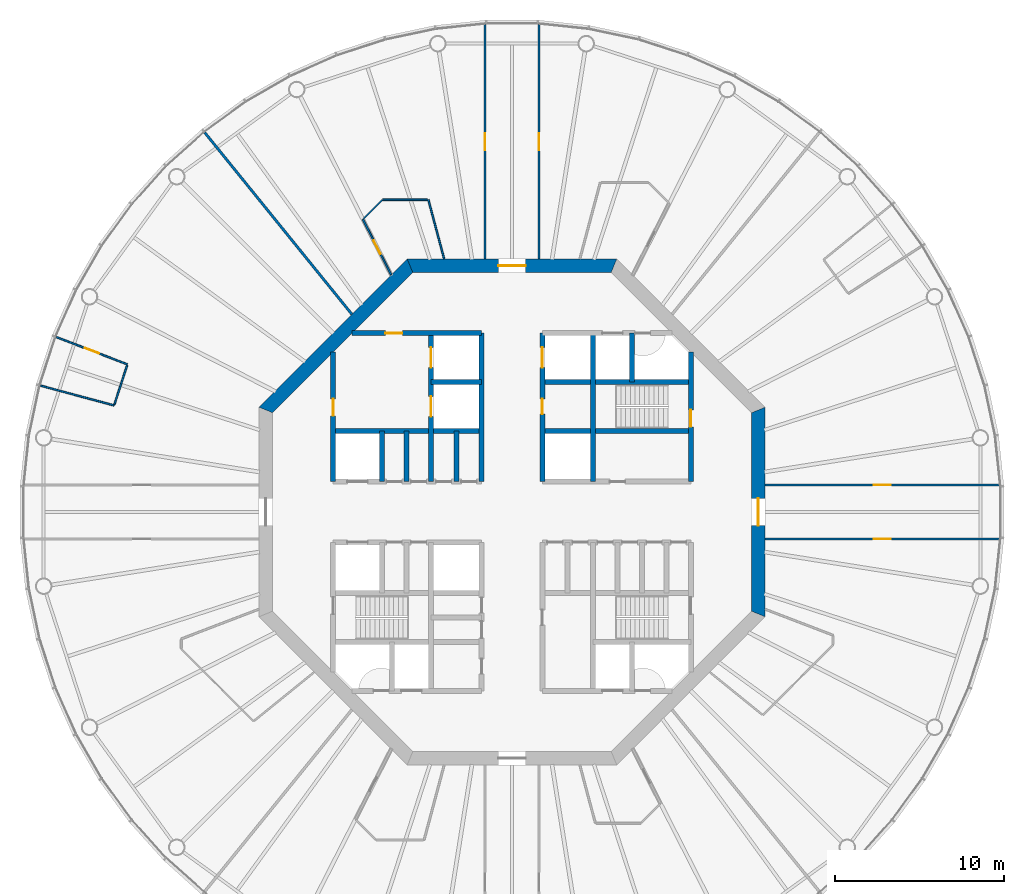
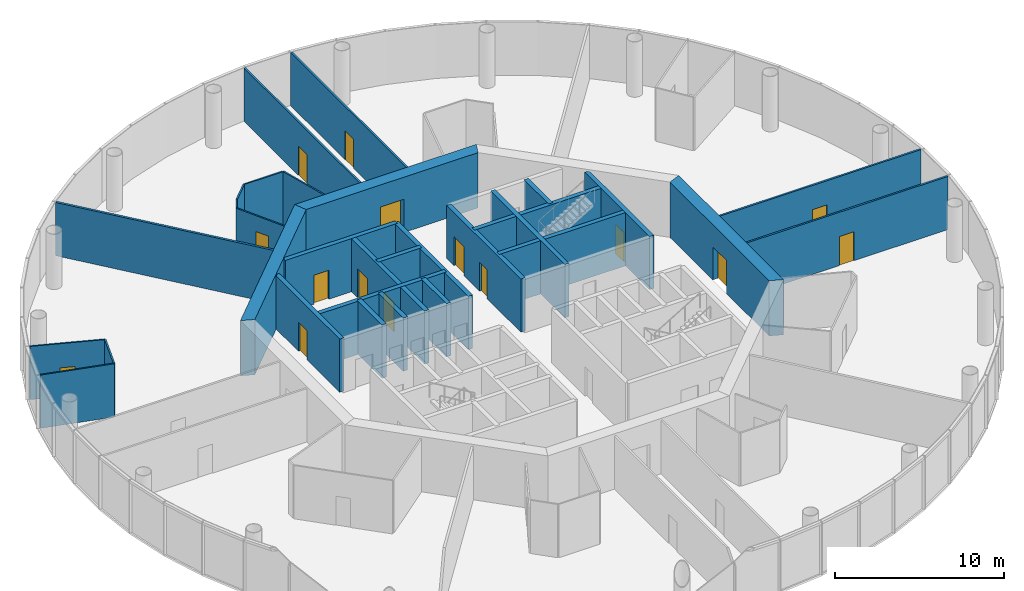
# One storey, part 5 of 13: 30 walls, 15 doors, 15 openings.
"""IFC4 building model written with IfcOpenShell, lengths in metres."""

import ifcopenshell
import ifcopenshell.guid

model = None  # the IFC model being written
_history = None  # IfcOwnerHistory: only IFC2X3 demands one
_inside = {}  # id of a spatial element -> (the spatial element, [elements in it])
_under = {}  # id of a project, library or spatial element -> (it, [spatial elements below it])
_declared = {}  # id of a project -> (the project, [libraries it declares])
_typed = {}  # id of a type object -> (the type object, [elements of that type])
_made_of = {}  # id of a material, layer set ... -> (it, [elements and type objects made of it])


def new_model(schema):
    """Start an empty IFC model of exactly this schema.

    Asked for "IFC4X3", IfcOpenShell would pick the latest addendum, in which some entities
    have other attributes; the version numbers below select the first issue.
    IFC2X3 requires an IfcOwnerHistory on every rooted entity: one is made here for all.
    """
    global model, _history
    if schema == "IFC4X3":
        model = ifcopenshell.file(schema_version=(4, 3, 0, 0))
    else:
        model = ifcopenshell.file(schema=schema)
    _inside.clear()
    _under.clear()
    _declared.clear()
    _typed.clear()
    _made_of.clear()
    _history = None
    if model.schema == "IFC2X3":
        org = make("IfcOrganization", Name="unknown")
        user = make(
            "IfcPersonAndOrganization",
            ThePerson=make("IfcPerson", FamilyName="unknown"),
            TheOrganization=org,
        )
        app = make(
            "IfcApplication",
            ApplicationDeveloper=org,
            Version="unknown",
            ApplicationFullName="unknown",
            ApplicationIdentifier="unknown",
        )
        _history = make(
            "IfcOwnerHistory",
            OwningUser=user,
            OwningApplication=app,
            ChangeAction="ADDED",
            CreationDate=0,
        )
    return model


def make(cls, **values):
    """One entity of the class cls with the attributes given. An attribute that is None is left unset."""
    return model.create_entity(
        cls, **{name: value for name, value in values.items() if value is not None}
    )


def rooted(cls, **values):
    """An entity with a GlobalId (a new one), such as an element, a storey or a relation."""
    return make(cls, GlobalId=ifcopenshell.guid.new(), OwnerHistory=_history, **values)


def si_unit(unit_type, name, prefix=None):
    """IfcSIUnit, for example si_unit("LENGTHUNIT", "METRE", prefix="MILLI")."""
    return make("IfcSIUnit", UnitType=unit_type, Prefix=prefix, Name=name)


def assignment(units):
    """IfcUnitAssignment: the units of a project."""
    return None if units is None else make("IfcUnitAssignment", Units=units)


def point(xyz):
    """IfcCartesianPoint."""
    return None if xyz is None else make("IfcCartesianPoint", Coordinates=xyz)


def direction(xyz):
    """IfcDirection."""
    return None if xyz is None else make("IfcDirection", DirectionRatios=xyz)


def frame(location, z_axis=None, x_axis=None):
    """IfcAxis2Placement3D, a coordinate frame: its origin and axes. An axis left out is left unset."""
    return make(
        "IfcAxis2Placement3D",
        Location=point(location),
        Axis=direction(z_axis),
        RefDirection=direction(x_axis),
    )


def frame_2d(location, x_axis=None):
    """IfcAxis2Placement2D, a coordinate frame in the plane: its origin and x axis."""
    return make(
        "IfcAxis2Placement2D", Location=point(location), RefDirection=direction(x_axis)
    )


def origin():
    """The frame at (0, 0, 0) with its axes left unset."""
    return frame((0.0, 0.0, 0.0))


def place(relative_to, where):
    """IfcLocalPlacement: puts the frame where relative to a parent placement (None: the world)."""
    return make(
        "IfcLocalPlacement", PlacementRelTo=relative_to, RelativePlacement=where
    )


def context(
    kind, dimensions, precision=None, world=None, true_north=None, identifier=None
):
    """IfcGeometricRepresentationContext, for example the 3D "Model" context."""
    return make(
        "IfcGeometricRepresentationContext",
        ContextIdentifier=identifier,
        ContextType=kind,
        CoordinateSpaceDimension=dimensions,
        Precision=precision,
        WorldCoordinateSystem=world,
        TrueNorth=true_north,
    )


def subcontext(parent, identifier, kind, view, scale=None):
    """IfcGeometricRepresentationSubContext, for example "Body" below "Model"."""
    return make(
        "IfcGeometricRepresentationSubContext",
        ContextIdentifier=identifier,
        ContextType=kind,
        ParentContext=parent,
        TargetScale=scale,
        TargetView=view,
    )


def project(units=None, contexts=None):
    """IfcProject with its units and contexts."""
    return rooted(
        "IfcProject",
        Name="project",
        RepresentationContexts=contexts,
        UnitsInContext=assignment(units),
    )


def spatial(cls, under=None, at=None, **own):
    """A site, building, storey or space (cls), placed at a placement, below another one or the project."""
    s = rooted(cls, ObjectPlacement=at, **own)
    if under is not None:
        _under.setdefault(under.id(), (under, []))[1].append(s)
    return s


def polyline(points):
    """IfcPolyline through the points."""
    return make("IfcPolyline", Points=[point(p) for p in points])


def profile(cls, at=None, kind="AREA", **sizes):
    """A parametric profile (cls). Its sizes go by their IFC names, for example OverallWidth=200.0."""
    return make(cls, ProfileType=kind, Position=at, **sizes)


def rectangle(**sizes):
    """IfcRectangleProfileDef."""
    return profile("IfcRectangleProfileDef", **sizes)


def outline(outer, holes=None, kind="AREA"):
    """IfcArbitraryClosedProfileDef: a profile drawn as a closed curve; with holes, ...WithVoids."""
    if holes is None:
        return make("IfcArbitraryClosedProfileDef", ProfileType=kind, OuterCurve=outer)
    return make(
        "IfcArbitraryProfileDefWithVoids",
        ProfileType=kind,
        OuterCurve=outer,
        InnerCurves=holes,
    )


def extrude(swept, where, along, depth):
    """IfcExtrudedAreaSolid: the profile swept, set in the frame where, extruded along a direction by depth."""
    return make(
        "IfcExtrudedAreaSolid",
        SweptArea=swept,
        Position=where,
        ExtrudedDirection=direction(along),
        Depth=depth,
    )


def shape(context_of_items, identifier, shape_type, items):
    """IfcShapeRepresentation: the items that make up one representation, for example the "Body"."""
    return make(
        "IfcShapeRepresentation",
        ContextOfItems=context_of_items,
        RepresentationIdentifier=identifier,
        RepresentationType=shape_type,
        Items=items,
    )


def material(Name=None, Category=None):
    """IfcMaterial."""
    return make("IfcMaterial", Name=Name, Category=Category)


def layer(
    of_material, thickness, ventilated=None, Name=None, Category=None, Priority=None
):
    """IfcMaterialLayer: one layer of a wall or slab, of a material (None: an air gap)."""
    return make(
        "IfcMaterialLayer",
        Material=of_material,
        LayerThickness=thickness,
        IsVentilated=ventilated,
        Name=Name,
        Category=Category,
        Priority=Priority,
    )


def layer_set(layers, Name=None):
    """IfcMaterialLayerSet."""
    return make("IfcMaterialLayerSet", MaterialLayers=layers, LayerSetName=Name)


def made_of(thing, what):
    """Note that an element or type object is made of a material, layer set ...; save() writes the relation."""
    if what is not None:
        _made_of.setdefault(what.id(), (what, []))[1].append(thing)
    return thing


def type_object(cls, material=None, **own):
    """A type object (cls), such as IfcWallType, which elements share."""
    return made_of(rooted(cls, **own), material)


def element(
    cls,
    number,
    at=None,
    inside=None,
    cuts=None,
    type_object=None,
    material=None,
    context=None,
    identifier="Body",
    shape_type=None,
    held_by="IfcProductDefinitionShape",
    body=None,
    shapes=None,
    **own,
):
    """One element of the class cls, such as IfcWall. Its Tag is "e" and its number.

    at: its placement. inside: the storey or other place that contains it. cuts: it is an
    opening in that element (IfcRelVoidsElement). A single representation is given by context,
    identifier, shape_type and body (its items); several are given by shapes. held_by: the class
    of the entity that holds the representations. save() writes the other relations.
    """
    e = rooted(cls, Tag="e%d" % number, ObjectPlacement=at, **own)
    if body is not None:
        shapes = [shape(context, identifier, shape_type, body)]
    if shapes is not None:
        e.Representation = make(held_by, Representations=shapes)
    if inside is not None:
        _inside.setdefault(inside.id(), (inside, []))[1].append(e)
    if cuts is not None:
        rooted(
            "IfcRelVoidsElement", RelatingBuildingElement=cuts, RelatedOpeningElement=e
        )
    if type_object is not None:
        _typed.setdefault(type_object.id(), (type_object, []))[1].append(e)
    return made_of(e, material)


def fill(opening, filler):
    """IfcRelFillsElement: the door or window that sits in an opening."""
    return rooted(
        "IfcRelFillsElement",
        RelatingOpeningElement=opening,
        RelatedBuildingElement=filler,
    )


def aggregate(whole, parts):
    """IfcRelAggregates: a whole, such as a stair, and the parts it consists of."""
    return rooted("IfcRelAggregates", RelatingObject=whole, RelatedObjects=parts)


def save(model, path):
    """Write the relations noted so far, then the file.

    IfcRelAggregates (storeys below a building ...), IfcRelContainedInSpatialStructure (elements
    in a storey), IfcRelDefinesByType, IfcRelAssociatesMaterial and IfcRelDeclares: one each for
    every whole, place, type object, material and project.
    """
    for whole, parts in _under.values():
        aggregate(whole, parts)
    for where, things in _inside.values():
        rooted(
            "IfcRelContainedInSpatialStructure",
            RelatedElements=things,
            RelatingStructure=where,
        )
    for kind, things in _typed.values():
        rooted("IfcRelDefinesByType", RelatedObjects=things, RelatingType=kind)
    for what, things in _made_of.values():
        rooted("IfcRelAssociatesMaterial", RelatedObjects=things, RelatingMaterial=what)
    for by, libraries in _declared.values():
        rooted("IfcRelDeclares", RelatingContext=by, RelatedDefinitions=libraries)
    model.write(path)


model = new_model("IFC4")

# Units and contexts
model_context = context("Model", 3, precision=1e-05, world=origin(), true_north=direction((0.0, 1.0)))
body_context = subcontext(model_context, "Body", "Model", "MODEL_VIEW")
ifc_project = project(units=[si_unit("LENGTHUNIT", "METRE"), si_unit("AREAUNIT", "SQUARE_METRE"), si_unit("VOLUMEUNIT", "CUBIC_METRE"), si_unit("PLANEANGLEUNIT", "RADIAN"), si_unit("MASSUNIT", "GRAM", prefix="KILO")], contexts=[model_context])

# Site, building, storey
site_placement = place(None, origin())
site = spatial("IfcSite", under=ifc_project, at=site_placement, CompositionType="ELEMENT")
building_placement = place(site_placement, origin())
building = spatial("IfcBuilding", under=site, at=building_placement, Name="Entoto Ring Tower", CompositionType="ELEMENT")
storey_placement = place(building_placement, frame((0.0, 0.0, 286.0)))
storey = spatial("IfcBuildingStorey", under=building, at=storey_placement, Name="L65", CompositionType="ELEMENT", Elevation=286.0)

# Wall, opening, door
ifc_material_1 = material(Name="Concrete C40/50", Category="concrete")
ifc_layer_1 = layer(ifc_material_1, 0.300048828125)
ifc_layer_set_1 = layer_set([ifc_layer_1], Name="Concrete C40/50")
wall_type_1 = type_object("IfcWallType", Name="Core enclosure wall 300 mm reinforced concrete", PredefinedType="SOLIDWALL", material=ifc_layer_set_1)
wall_1_placement = place(storey_placement, frame((100.60009765625, 81.800048828125, 0.0), z_axis=(0.0, 0.0, 1.0), x_axis=(0.0, 1.0, 0.0)))
wall_1 = element("IfcWall", 1, at=wall_1_placement, inside=storey, type_object=wall_type_1, Name="wall-L65-002", PredefinedType="SOLIDWALL", context=body_context, shape_type="SweptSolid", body=[
    extrude(rectangle(XDim=7.681640625, YDim=0.300048828125, at=frame_2d((3.8408203125, 0.0))), origin(), (0.0, 0.0, 1.0), 3.85009765625),
])
opening_1_placement = place(wall_1_placement, frame((3.25, 0.0, 0.0)))
opening_1 = element("IfcOpeningElement", 2, at=opening_1_placement, cuts=wall_1, Name="Opening K-29", PredefinedType="OPENING", context=body_context, shape_type="SweptSolid", body=[
    extrude(rectangle(XDim=1.0, YDim=2.10009765625, at=frame_2d((0.5, 1.050048828125))), frame((0.0, 0.16015625, 0.0), z_axis=(0.0, -1.0, 0.0), x_axis=(1.0, 0.0, 0.0)), (0.0, 0.0, 1.0), 0.320068359375),
])
ifc_material_2 = material(Name="Steel door leaf, fire rated", Category="steel")
ifc_layer_2 = layer(ifc_material_2, 0.050048828125)
ifc_layer_set_2 = layer_set([ifc_layer_2], Name="Steel door leaf, fire rated")
door_type_1 = type_object("IfcDoorType", Name="Fire door FD60 1000 x 2100 single leaf", OperationType="NOTDEFINED", PredefinedType="DOOR", material=ifc_layer_set_2)
door_1_placement = place(opening_1_placement, origin())
door_1 = element("IfcDoor", 3, at=door_1_placement, inside=storey, type_object=door_type_1, Name="Door K-29", OperationType="SINGLE_SWING_LEFT", OverallHeight=2.10009765625, OverallWidth=1.0, PredefinedType="DOOR", context=body_context, shape_type="SweptSolid", body=[
    extrude(rectangle(XDim=1.0, YDim=2.10009765625, at=frame_2d((0.5, 1.050048828125))), frame((0.0, 0.02490234375, 0.0), z_axis=(0.0, -1.0, 0.0), x_axis=(1.0, 0.0, 0.0)), (0.0, 0.0, 1.0), 0.050048828125),
])
fill(opening_1, door_1)

# Walls
wall_2_placement = place(storey_placement, frame((97.10009765625, 87.699951171875, 0.0), z_axis=(0.0, 0.0, 1.0), x_axis=(0.0, 1.0, 0.0)))
element("IfcWall", 4, at=wall_2_placement, inside=storey, type_object=wall_type_1, Name="wall-L65-006", PredefinedType="SOLIDWALL", context=body_context, shape_type="SweptSolid", body=[
    extrude(rectangle(XDim=2.900146484375, YDim=0.300048828125, at=frame_2d((1.4501953125, 0.0))), origin(), (0.0, 0.0, 1.0), 3.85009765625),
])
wall_3_placement = place(storey_placement, frame((94.800048828125, 81.800048828125, 0.0), z_axis=(0.0, 0.0, 1.0), x_axis=(0.0, 1.0, 0.0)))
element("IfcWall", 5, at=wall_3_placement, inside=storey, type_object=wall_type_1, Name="wall-L65-009", PredefinedType="SOLIDWALL", context=body_context, shape_type="SweptSolid", body=[
    extrude(rectangle(XDim=8.800048828125, YDim=0.300048828125, at=frame_2d((4.39990234375, 0.0))), origin(), (0.0, 0.0, 1.0), 3.85009765625),
])

# Wall, openings, doors
wall_4_placement = place(storey_placement, frame((91.800048828125, 81.800048828125, 0.0), z_axis=(0.0, 0.0, 1.0), x_axis=(0.0, 1.0, 0.0)))
wall_4 = element("IfcWall", 6, at=wall_4_placement, inside=storey, type_object=wall_type_1, Name="wall-L65-012", PredefinedType="SOLIDWALL", context=body_context, shape_type="SweptSolid", body=[
    extrude(rectangle(XDim=8.800048828125, YDim=0.300048828125, at=frame_2d((4.39990234375, 0.0))), origin(), (0.0, 0.0, 1.0), 3.85009765625),
])
opening_2_placement = place(wall_4_placement, frame((6.75, 0.0, 0.0)))
opening_2 = element("IfcOpeningElement", 7, at=opening_2_placement, cuts=wall_4, Name="Opening LD", PredefinedType="OPENING", context=body_context, shape_type="SweptSolid", body=[
    extrude(rectangle(XDim=1.199951171875, YDim=2.10009765625, at=frame_2d((0.60009765625, 1.050048828125))), frame((0.0, 0.16015625, 0.0), z_axis=(0.0, -1.0, 0.0), x_axis=(1.0, 0.0, 0.0)), (0.0, 0.0, 1.0), 0.320068359375),
])
opening_3_placement = place(wall_4_placement, frame((4.0, 0.0, 0.0)))
opening_3 = element("IfcOpeningElement", 8, at=opening_3_placement, cuts=wall_4, Name="Opening K-63", PredefinedType="OPENING", context=body_context, shape_type="SweptSolid", body=[
    extrude(rectangle(XDim=0.89990234375, YDim=2.10009765625, at=frame_2d((0.449951171875, 1.050048828125))), frame((0.0, 0.16015625, 0.0), z_axis=(0.0, -1.0, 0.0), x_axis=(1.0, 0.0, 0.0)), (0.0, 0.0, 1.0), 0.320068359375),
])
ifc_material_3 = material(Name="Steel door leaf, fire rated", Category="steel")
ifc_layer_3 = layer(ifc_material_3, 0.050048828125)
ifc_layer_set_3 = layer_set([ifc_layer_3], Name="Steel door leaf, fire rated")
door_type_2 = type_object("IfcDoorType", Name="Core door 900 x 2100 single leaf", OperationType="NOTDEFINED", PredefinedType="DOOR", material=ifc_layer_set_3)
door_2_placement = place(opening_3_placement, frame((0.89990234375, 0.0, 0.0), z_axis=(0.0, 0.0, 1.0), x_axis=(-1.0, 0.0, 0.0)))
door_2 = element("IfcDoor", 9, at=door_2_placement, inside=storey, type_object=door_type_2, Name="Door K-63", OperationType="SINGLE_SWING_RIGHT", OverallHeight=2.10009765625, OverallWidth=0.89990234375, PredefinedType="DOOR", context=body_context, shape_type="SweptSolid", body=[
    extrude(rectangle(XDim=0.89990234375, YDim=2.10009765625, at=frame_2d((0.449951171875, 1.050048828125))), frame((0.0, 0.02490234375, 0.0), z_axis=(0.0, -1.0, 0.0), x_axis=(1.0, 0.0, 0.0)), (0.0, 0.0, 1.0), 0.050048828125),
])
fill(opening_3, door_2)
ifc_material_4 = material(Name="Steel and glass door leaf", Category="steel")
ifc_layer_4 = layer(ifc_material_4, 0.050048828125)
ifc_layer_set_4 = layer_set([ifc_layer_4], Name="Steel and glass door leaf")
door_type_3 = type_object("IfcDoorType", Name="Landing door 1200 x 2100 sliding", OperationType="DOUBLE_DOOR_SLIDING", PredefinedType="DOOR", material=ifc_layer_set_4)
door_3_placement = place(opening_2_placement, origin())
door_3 = element("IfcDoor", 10, at=door_3_placement, inside=storey, type_object=door_type_3, Name="Landing door SH3", OperationType="SLIDING_TO_RIGHT", OverallHeight=2.10009765625, OverallWidth=1.199951171875, PredefinedType="DOOR", context=body_context, shape_type="SweptSolid", body=[
    extrude(rectangle(XDim=1.199951171875, YDim=2.10009765625, at=frame_2d((0.60009765625, 1.050048828125))), frame((0.0, 0.02490234375, 0.0), z_axis=(0.0, -1.0, 0.0), x_axis=(1.0, 0.0, 0.0)), (0.0, 0.0, 1.0), 0.050048828125),
])
fill(opening_2, door_3)

# Walls
wall_5_placement = place(storey_placement, frame((88.199951171875, 81.800048828125, 0.0), z_axis=(0.0, 0.0, 1.0), x_axis=(0.0, 1.0, 0.0)))
element("IfcWall", 11, at=wall_5_placement, inside=storey, type_object=wall_type_1, Name="wall-L65-014", PredefinedType="SOLIDWALL", context=body_context, shape_type="SweptSolid", body=[
    extrude(rectangle(XDim=8.800048828125, YDim=0.300048828125, at=frame_2d((4.39990234375, 0.0))), origin(), (0.0, 0.0, 1.0), 3.85009765625),
])
wall_6_placement = place(storey_placement, frame((86.699951171875, 81.800048828125, 0.0), z_axis=(0.0, 0.0, 1.0), x_axis=(0.0, 1.0, 0.0)))
element("IfcWall", 12, at=wall_6_placement, inside=storey, type_object=wall_type_1, Name="wall-L65-015", PredefinedType="SOLIDWALL", context=body_context, shape_type="SweptSolid", body=[
    extrude(rectangle(XDim=3.0, YDim=0.300048828125, at=frame_2d((1.5, 0.0))), origin(), (0.0, 0.0, 1.0), 3.85009765625),
])

# Wall, openings, doors
wall_7_placement = place(storey_placement, frame((85.199951171875, 81.800048828125, 0.0), z_axis=(0.0, 0.0, 1.0), x_axis=(0.0, 1.0, 0.0)))
wall_7 = element("IfcWall", 13, at=wall_7_placement, inside=storey, type_object=wall_type_1, Name="wall-L65-017", PredefinedType="SOLIDWALL", context=body_context, shape_type="SweptSolid", body=[
    extrude(rectangle(XDim=8.800048828125, YDim=0.300048828125, at=frame_2d((4.39990234375, 0.0))), origin(), (0.0, 0.0, 1.0), 3.85009765625),
])
opening_4_placement = place(wall_7_placement, frame((3.85009765625, 0.0, 0.0)))
opening_4 = element("IfcOpeningElement", 14, at=opening_4_placement, cuts=wall_7, Name="Opening LD", PredefinedType="OPENING", context=body_context, shape_type="SweptSolid", body=[
    extrude(rectangle(XDim=1.199951171875, YDim=2.10009765625, at=frame_2d((0.60009765625, 1.050048828125))), frame((0.0, 0.16015625, 0.0), z_axis=(0.0, -1.0, 0.0), x_axis=(1.0, 0.0, 0.0)), (0.0, 0.0, 1.0), 0.320068359375),
])
opening_5_placement = place(wall_7_placement, frame((6.75, 0.0, 0.0)))
opening_5 = element("IfcOpeningElement", 15, at=opening_5_placement, cuts=wall_7, Name="Opening LD", PredefinedType="OPENING", context=body_context, shape_type="SweptSolid", body=[
    extrude(rectangle(XDim=1.199951171875, YDim=2.10009765625, at=frame_2d((0.60009765625, 1.050048828125))), frame((0.0, 0.16015625, 0.0), z_axis=(0.0, -1.0, 0.0), x_axis=(1.0, 0.0, 0.0)), (0.0, 0.0, 1.0), 0.320068359375),
])
door_4_placement = place(opening_4_placement, origin())
door_4 = element("IfcDoor", 16, at=door_4_placement, inside=storey, type_object=door_type_3, Name="Landing door FF1", OperationType="SLIDING_TO_RIGHT", OverallHeight=2.10009765625, OverallWidth=1.199951171875, PredefinedType="DOOR", context=body_context, shape_type="SweptSolid", body=[
    extrude(rectangle(XDim=1.199951171875, YDim=2.10009765625, at=frame_2d((0.60009765625, 1.050048828125))), frame((0.0, 0.02490234375, 0.0), z_axis=(0.0, -1.0, 0.0), x_axis=(1.0, 0.0, 0.0)), (0.0, 0.0, 1.0), 0.050048828125),
])
fill(opening_4, door_4)
door_5_placement = place(opening_5_placement, origin())
door_5 = element("IfcDoor", 17, at=door_5_placement, inside=storey, type_object=door_type_3, Name="Landing door FF2", OperationType="SLIDING_TO_RIGHT", OverallHeight=2.10009765625, OverallWidth=1.199951171875, PredefinedType="DOOR", context=body_context, shape_type="SweptSolid", body=[
    extrude(rectangle(XDim=1.199951171875, YDim=2.10009765625, at=frame_2d((0.60009765625, 1.050048828125))), frame((0.0, 0.02490234375, 0.0), z_axis=(0.0, -1.0, 0.0), x_axis=(1.0, 0.0, 0.0)), (0.0, 0.0, 1.0), 0.050048828125),
])
fill(opening_5, door_5)

# Walls
for number, where, z_axis, x_axis, name in (
    (18, (83.75, 81.800048828125, 0.0), (0.0, 0.0, 1.0), (0.0, 1.0, 0.0), "wall-L65-019"),
    (19, (82.300048828125, 81.800048828125, 0.0), (0.0, 0.0, 1.0), (0.0, 1.0, 0.0), "wall-L65-022"),
):
    element("IfcWall", number, at=place(storey_placement, frame(where, z_axis=z_axis, x_axis=x_axis)), inside=storey, type_object=wall_type_1, Name=name, PredefinedType="SOLIDWALL", context=body_context, shape_type="SweptSolid", body=[
        extrude(rectangle(XDim=3.0, YDim=0.300048828125, at=frame_2d((1.5, 0.0))), origin(), (0.0, 0.0, 1.0), 3.85009765625),
    ])

# Wall, opening, door
wall_8_placement = place(storey_placement, frame((79.39990234375, 81.800048828125, 0.0), z_axis=(0.0, 0.0, 1.0), x_axis=(0.0, 1.0, 0.0)))
wall_8 = element("IfcWall", 20, at=wall_8_placement, inside=storey, type_object=wall_type_1, Name="wall-L65-024", PredefinedType="SOLIDWALL", context=body_context, shape_type="SweptSolid", body=[
    extrude(rectangle(XDim=7.681640625, YDim=0.300048828125, at=frame_2d((3.8408203125, 0.0))), origin(), (0.0, 0.0, 1.0), 3.85009765625),
])
opening_6_placement = place(wall_8_placement, frame((3.89990234375, 0.0, 0.0)))
opening_6 = element("IfcOpeningElement", 21, at=opening_6_placement, cuts=wall_8, Name="Opening K-35", PredefinedType="OPENING", context=body_context, shape_type="SweptSolid", body=[
    extrude(rectangle(XDim=1.0, YDim=2.10009765625, at=frame_2d((0.5, 1.050048828125))), frame((0.0, 0.16015625, 0.0), z_axis=(0.0, -1.0, 0.0), x_axis=(1.0, 0.0, 0.0)), (0.0, 0.0, 1.0), 0.320068359375),
])
door_6_placement = place(opening_6_placement, frame((1.0, 0.0, 0.0), z_axis=(0.0, 0.0, 1.0), x_axis=(-1.0, 0.0, 0.0)))
door_6 = element("IfcDoor", 22, at=door_6_placement, inside=storey, type_object=door_type_1, Name="Door K-35", OperationType="SINGLE_SWING_RIGHT", OverallHeight=2.10009765625, OverallWidth=1.0, PredefinedType="DOOR", context=body_context, shape_type="SweptSolid", body=[
    extrude(rectangle(XDim=1.0, YDim=2.10009765625, at=frame_2d((0.5, 1.050048828125))), frame((0.0, 0.02490234375, 0.0), z_axis=(0.0, -1.0, 0.0), x_axis=(1.0, 0.0, 0.0)), (0.0, 0.0, 1.0), 0.050048828125),
])
fill(opening_6, door_6)

# Walls
for number, where, z_axis, x_axis, name in (
    (23, (79.39990234375, 84.800048828125, 0.0), (0.0, 0.0, 1.0), (1.0, 0.0, 0.0), "wall-L65-036"),
    (24, (91.800048828125, 84.800048828125, 0.0), (0.0, 0.0, 1.0), (1.0, 0.0, 0.0), "wall-L65-037"),
):
    element("IfcWall", number, at=place(storey_placement, frame(where, z_axis=z_axis, x_axis=x_axis)), inside=storey, type_object=wall_type_1, Name=name, PredefinedType="SOLIDWALL", context=body_context, shape_type="SweptSolid", body=[
        extrude(rectangle(XDim=8.800048828125, YDim=0.300048828125, at=frame_2d((4.39990234375, 0.0))), origin(), (0.0, 0.0, 1.0), 3.85009765625),
    ])
wall_9_placement = place(storey_placement, frame((85.199951171875, 87.699951171875, 0.0), z_axis=(0.0, 0.0, 1.0), x_axis=(1.0, 0.0, 0.0)))
element("IfcWall", 25, at=wall_9_placement, inside=storey, type_object=wall_type_1, Name="wall-L65-038", PredefinedType="SOLIDWALL", context=body_context, shape_type="SweptSolid", body=[
    extrude(rectangle(XDim=3.0, YDim=0.300048828125, at=frame_2d((1.5, 0.0))), origin(), (0.0, 0.0, 1.0), 3.85009765625),
])
wall_10_placement = place(storey_placement, frame((91.800048828125, 87.699951171875, 0.0), z_axis=(0.0, 0.0, 1.0), x_axis=(1.0, 0.0, 0.0)))
element("IfcWall", 26, at=wall_10_placement, inside=storey, type_object=wall_type_1, Name="wall-L65-039", PredefinedType="SOLIDWALL", context=body_context, shape_type="SweptSolid", body=[
    extrude(rectangle(XDim=8.800048828125, YDim=0.300048828125, at=frame_2d((4.39990234375, 0.0))), origin(), (0.0, 0.0, 1.0), 3.85009765625),
])

# Wall, opening, door
wall_11_placement = place(storey_placement, frame((80.518310546875, 90.60009765625, 0.0), z_axis=(0.0, 0.0, 1.0), x_axis=(1.0, 0.0, 0.0)))
wall_11 = element("IfcWall", 27, at=wall_11_placement, inside=storey, type_object=wall_type_1, Name="wall-L65-040", PredefinedType="SOLIDWALL", context=body_context, shape_type="SweptSolid", body=[
    extrude(rectangle(XDim=7.681640625, YDim=0.300048828125, at=frame_2d((3.8408203125, 0.0))), origin(), (0.0, 0.0, 1.0), 3.85009765625),
])
opening_7_placement = place(wall_11_placement, frame((1.981689453125, 0.0, 0.0)))
opening_7 = element("IfcOpeningElement", 28, at=opening_7_placement, cuts=wall_11, Name="Opening K-36", PredefinedType="OPENING", context=body_context, shape_type="SweptSolid", body=[
    extrude(rectangle(XDim=1.0, YDim=2.10009765625, at=frame_2d((0.5, 1.050048828125))), frame((0.0, 0.16015625, 0.0), z_axis=(0.0, -1.0, 0.0), x_axis=(1.0, 0.0, 0.0)), (0.0, 0.0, 1.0), 0.320068359375),
])
door_7_placement = place(opening_7_placement, frame((1.0, 0.0, 0.0), z_axis=(0.0, 0.0, 1.0), x_axis=(-1.0, 0.0, 0.0)))
door_7 = element("IfcDoor", 29, at=door_7_placement, inside=storey, type_object=door_type_1, Name="Door K-36", OperationType="SINGLE_SWING_LEFT", OverallHeight=2.10009765625, OverallWidth=1.0, PredefinedType="DOOR", context=body_context, shape_type="SweptSolid", body=[
    extrude(rectangle(XDim=1.0, YDim=2.10009765625, at=frame_2d((0.5, 1.050048828125))), frame((0.0, 0.02490234375, 0.0), z_axis=(0.0, -1.0, 0.0), x_axis=(1.0, 0.0, 0.0)), (0.0, 0.0, 1.0), 0.050048828125),
])
fill(opening_7, door_7)

ifc_material_5 = material(Name="Concrete C40/50", Category="concrete")
ifc_layer_5 = layer(ifc_material_5, 0.800048828125)
ifc_layer_set_5 = layer_set([ifc_layer_5], Name="Concrete C40/50")
wall_type_2 = type_object("IfcWallType", Name="Core shear wall 800 mm reinforced concrete C40/50", PredefinedType="SHEAR", material=ifc_layer_set_5)
wall_12_placement = place(storey_placement, frame((104.60009765625, 73.952392578125, 0.0), z_axis=(0.0, 0.0, 1.0), x_axis=(0.0, 1.0, 0.0)))
wall_12 = element("IfcWall", 30, at=wall_12_placement, inside=storey, type_object=wall_type_2, Name="wall-L65-core-0", PredefinedType="SHEAR", context=body_context, shape_type="SweptSolid", body=[
    extrude(outline(polyline([(-0.165771484375, -0.39990234375), (12.260986328125, -0.39990234375), (11.929443359375, 0.39990234375), (0.165771484375, 0.39990234375), (-0.165771484375, -0.39990234375)])), origin(), (0.0, 0.0, 1.0), 4.0),
])
opening_8_placement = place(wall_12_placement, frame((5.24755859375, 0.0, 0.0)))
opening_8 = element("IfcOpeningElement", 31, at=opening_8_placement, cuts=wall_12, Name="Opening K-01", PredefinedType="OPENING", context=body_context, shape_type="SweptSolid", body=[
    extrude(rectangle(XDim=1.60009765625, YDim=2.39990234375, at=frame_2d((0.800048828125, 1.199951171875))), frame((0.0, 0.41015625, 0.0), z_axis=(0.0, -1.0, 0.0), x_axis=(1.0, 0.0, 0.0)), (0.0, 0.0, 1.0), 0.820068359375),
])
ifc_material_6 = material(Name="Steel door leaf, fire rated", Category="steel")
ifc_layer_6 = layer(ifc_material_6, 0.050048828125)
ifc_layer_set_6 = layer_set([ifc_layer_6], Name="Steel door leaf, fire rated")
door_type_4 = type_object("IfcDoorType", Name="Entrance door FD60 1600 x 2400 double leaf", OperationType="DOUBLE_DOOR_SINGLE_SWING", PredefinedType="DOOR", material=ifc_layer_set_6)
door_8_placement = place(opening_8_placement, origin())
door_8 = element("IfcDoor", 32, at=door_8_placement, inside=storey, type_object=door_type_4, Name="Entrance door K-01", OperationType="DOUBLE_DOOR_SINGLE_SWING", OverallHeight=2.39990234375, OverallWidth=1.60009765625, PredefinedType="DOOR", context=body_context, shape_type="SweptSolid", body=[
    extrude(rectangle(XDim=1.60009765625, YDim=2.39990234375, at=frame_2d((0.800048828125, 1.199951171875))), frame((0.0, 0.02490234375, 0.0), z_axis=(0.0, -1.0, 0.0), x_axis=(1.0, 0.0, 0.0)), (0.0, 0.0, 1.0), 0.050048828125),
])
fill(opening_8, door_8)

wall_13_placement = place(storey_placement, frame((96.047607421875, 94.60009765625, 0.0), z_axis=(0.0, 0.0, 1.0), x_axis=(-1.0, 0.0, 0.0)))
wall_13 = element("IfcWall", 33, at=wall_13_placement, inside=storey, type_object=wall_type_2, Name="wall-L65-core-2", PredefinedType="SHEAR", context=body_context, shape_type="SweptSolid", body=[
    extrude(outline(polyline([(-0.165771484375, -0.39990234375), (12.260986328125, -0.39990234375), (11.929443359375, 0.39990234375), (0.165771484375, 0.39990234375), (-0.165771484375, -0.39990234375)])), origin(), (0.0, 0.0, 1.0), 4.0),
])
opening_9_placement = place(wall_13_placement, frame((5.24755859375, 0.0, 0.0)))
opening_9 = element("IfcOpeningElement", 34, at=opening_9_placement, cuts=wall_13, Name="Opening K-02", PredefinedType="OPENING", context=body_context, shape_type="SweptSolid", body=[
    extrude(rectangle(XDim=1.60009765625, YDim=2.39990234375, at=frame_2d((0.800048828125, 1.199951171875))), frame((0.0, 0.41015625, 0.0), z_axis=(0.0, -1.0, 0.0), x_axis=(1.0, 0.0, 0.0)), (0.0, 0.0, 1.0), 0.820068359375),
])
door_9_placement = place(opening_9_placement, origin())
door_9 = element("IfcDoor", 35, at=door_9_placement, inside=storey, type_object=door_type_4, Name="Entrance door K-02", OperationType="DOUBLE_DOOR_SINGLE_SWING", OverallHeight=2.39990234375, OverallWidth=1.60009765625, PredefinedType="DOOR", context=body_context, shape_type="SweptSolid", body=[
    extrude(rectangle(XDim=1.60009765625, YDim=2.39990234375, at=frame_2d((0.800048828125, 1.199951171875))), frame((0.0, 0.02490234375, 0.0), z_axis=(0.0, -1.0, 0.0), x_axis=(1.0, 0.0, 0.0)), (0.0, 0.0, 1.0), 0.050048828125),
])
fill(opening_9, door_9)

# Wall
wall_14_placement = place(storey_placement, frame((83.952392578125, 94.60009765625, 0.0), z_axis=(0.0, 0.0, 1.0), x_axis=(-0.707106781187, -0.707106781187, 0.0)))
element("IfcWall", 36, at=wall_14_placement, inside=storey, type_object=wall_type_2, Name="wall-L65-core-3", PredefinedType="SHEAR", context=body_context, shape_type="SweptSolid", body=[
    extrude(outline(polyline([(-0.165771484375, -0.39990234375), (12.2607421875, -0.39990234375), (11.92919921875, 0.39990234375), (0.165771484375, 0.39990234375), (-0.165771484375, -0.39990234375)])), origin(), (0.0, 0.0, 1.0), 4.0),
])

# Wall, opening, door
ifc_material_7 = material(Name="Fire-resisting plasterboard on steel studs", Category="steel")
ifc_layer_7 = layer(ifc_material_7, 0.125)
ifc_layer_set_7 = layer_set([ifc_layer_7], Name="Fire-resisting plasterboard on steel studs")
wall_type_3 = type_object("IfcWallType", Name="Corridor wall 125 mm one-hour plasterboard on steel studs", PredefinedType="PARTITIONING", material=ifc_layer_set_7)
wall_15_placement = place(storey_placement, frame((88.39990234375, 95.0, 0.0), z_axis=(0.0, 0.0, 1.0), x_axis=(0.0, 1.0, 0.0)))
wall_15 = element("IfcWall", 37, at=wall_15_placement, inside=storey, type_object=wall_type_3, Name="partition-L65-004", PredefinedType="PARTITIONING", context=body_context, shape_type="SweptSolid", body=[
    extrude(rectangle(XDim=13.891357421875, YDim=0.125, at=frame_2d((6.94580078125, 0.0))), origin(), (0.0, 0.0, 1.0), 3.85009765625),
])
opening_10_placement = place(wall_15_placement, frame((6.44580078125, 0.0, 0.0)))
opening_10 = element("IfcOpeningElement", 38, at=opening_10_placement, cuts=wall_15, Name="Opening A29-D05", PredefinedType="OPENING", context=body_context, shape_type="SweptSolid", body=[
    extrude(rectangle(XDim=1.0, YDim=2.10009765625, at=frame_2d((0.5, 1.050048828125))), frame((0.0, 0.072509765625, 0.0), z_axis=(0.0, -1.0, 0.0), x_axis=(1.0, 0.0, 0.0)), (0.0, 0.0, 1.0), 0.14501953125),
])
ifc_material_8 = material(Name="Fire-resisting timber door set", Category="wood")
door_type_5 = type_object("IfcDoorType", Name="Door 1000 x 2100 single leaf FD30S fire door", OperationType="NOTDEFINED", PredefinedType="DOOR", material=ifc_material_8)
door_10_placement = place(opening_10_placement, origin())
door_10 = element("IfcDoor", 39, at=door_10_placement, inside=storey, type_object=door_type_5, Name="Door A29-D05", OperationType="SINGLE_SWING_RIGHT", OverallHeight=2.10009765625, OverallWidth=1.0, PredefinedType="DOOR", context=body_context, shape_type="SweptSolid", body=[
    extrude(rectangle(XDim=1.0, YDim=2.10009765625, at=frame_2d((0.5, 1.050048828125))), frame((0.0, 0.02490234375, 0.0), z_axis=(0.0, -1.0, 0.0), x_axis=(1.0, 0.0, 0.0)), (0.0, 0.0, 1.0), 0.050048828125),
])
fill(opening_10, door_10)

wall_16_placement = place(storey_placement, frame((91.60009765625, 95.0, 0.0), z_axis=(0.0, 0.0, 1.0), x_axis=(0.0, 1.0, 0.0)))
wall_16 = element("IfcWall", 40, at=wall_16_placement, inside=storey, type_object=wall_type_3, Name="partition-L65-006", PredefinedType="PARTITIONING", context=body_context, shape_type="SweptSolid", body=[
    extrude(rectangle(XDim=13.891357421875, YDim=0.125, at=frame_2d((6.94580078125, 0.0))), origin(), (0.0, 0.0, 1.0), 3.85009765625),
])
opening_11_placement = place(wall_16_placement, frame((6.44580078125, 0.0, 0.0)))
opening_11 = element("IfcOpeningElement", 41, at=opening_11_placement, cuts=wall_16, Name="Opening A29-D03", PredefinedType="OPENING", context=body_context, shape_type="SweptSolid", body=[
    extrude(rectangle(XDim=1.0, YDim=2.10009765625, at=frame_2d((0.5, 1.050048828125))), frame((0.0, 0.072509765625, 0.0), z_axis=(0.0, -1.0, 0.0), x_axis=(1.0, 0.0, 0.0)), (0.0, 0.0, 1.0), 0.14501953125),
])
door_11_placement = place(opening_11_placement, frame((1.0, 0.0, 0.0), z_axis=(0.0, 0.0, 1.0), x_axis=(-1.0, 0.0, 0.0)))
door_11 = element("IfcDoor", 42, at=door_11_placement, inside=storey, type_object=door_type_5, Name="Door A29-D03", OperationType="SINGLE_SWING_LEFT", OverallHeight=2.10009765625, OverallWidth=1.0, PredefinedType="DOOR", context=body_context, shape_type="SweptSolid", body=[
    extrude(rectangle(XDim=1.0, YDim=2.10009765625, at=frame_2d((0.5, 1.050048828125))), frame((0.0, 0.02490234375, 0.0), z_axis=(0.0, -1.0, 0.0), x_axis=(1.0, 0.0, 0.0)), (0.0, 0.0, 1.0), 0.050048828125),
])
fill(opening_11, door_11)

wall_17_placement = place(storey_placement, frame((105.0, 78.39990234375, 0.0), z_axis=(0.0, 0.0, 1.0), x_axis=(1.0, 0.0, 0.0)))
wall_17 = element("IfcWall", 43, at=wall_17_placement, inside=storey, type_object=wall_type_3, Name="partition-L65-007", PredefinedType="PARTITIONING", context=body_context, shape_type="SweptSolid", body=[
    extrude(rectangle(XDim=13.891357421875, YDim=0.125, at=frame_2d((6.94580078125, 0.0))), origin(), (0.0, 0.0, 1.0), 3.85009765625),
])
opening_12_placement = place(wall_17_placement, frame((6.44580078125, 0.0, 0.0)))
opening_12 = element("IfcOpeningElement", 44, at=opening_12_placement, cuts=wall_17, Name="Opening A29-D15", PredefinedType="OPENING", context=body_context, shape_type="SweptSolid", body=[
    extrude(rectangle(XDim=1.0, YDim=2.10009765625, at=frame_2d((0.5, 1.050048828125))), frame((0.0, 0.072509765625, 0.0), z_axis=(0.0, -1.0, 0.0), x_axis=(1.0, 0.0, 0.0)), (0.0, 0.0, 1.0), 0.14501953125),
])
door_12_placement = place(opening_12_placement, frame((1.0, 0.0, 0.0), z_axis=(0.0, 0.0, 1.0), x_axis=(-1.0, 0.0, 0.0)))
door_12 = element("IfcDoor", 45, at=door_12_placement, inside=storey, type_object=door_type_5, Name="Door A29-D15", OperationType="SINGLE_SWING_LEFT", OverallHeight=2.10009765625, OverallWidth=1.0, PredefinedType="DOOR", context=body_context, shape_type="SweptSolid", body=[
    extrude(rectangle(XDim=1.0, YDim=2.10009765625, at=frame_2d((0.5, 1.050048828125))), frame((0.0, 0.02490234375, 0.0), z_axis=(0.0, -1.0, 0.0), x_axis=(1.0, 0.0, 0.0)), (0.0, 0.0, 1.0), 0.050048828125),
])
fill(opening_12, door_12)

wall_18_placement = place(storey_placement, frame((105.0, 81.60009765625, 0.0), z_axis=(0.0, 0.0, 1.0), x_axis=(1.0, 0.0, 0.0)))
wall_18 = element("IfcWall", 46, at=wall_18_placement, inside=storey, type_object=wall_type_3, Name="partition-L65-008", PredefinedType="PARTITIONING", context=body_context, shape_type="SweptSolid", body=[
    extrude(rectangle(XDim=13.891357421875, YDim=0.125, at=frame_2d((6.94580078125, 0.0))), origin(), (0.0, 0.0, 1.0), 3.85009765625),
])
opening_13_placement = place(wall_18_placement, frame((6.44580078125, 0.0, 0.0)))
opening_13 = element("IfcOpeningElement", 47, at=opening_13_placement, cuts=wall_18, Name="Opening A29-D01", PredefinedType="OPENING", context=body_context, shape_type="SweptSolid", body=[
    extrude(rectangle(XDim=1.0, YDim=2.10009765625, at=frame_2d((0.5, 1.050048828125))), frame((0.0, 0.072509765625, 0.0), z_axis=(0.0, -1.0, 0.0), x_axis=(1.0, 0.0, 0.0)), (0.0, 0.0, 1.0), 0.14501953125),
])
door_13_placement = place(opening_13_placement, origin())
door_13 = element("IfcDoor", 48, at=door_13_placement, inside=storey, type_object=door_type_5, Name="Door A29-D01", OperationType="SINGLE_SWING_RIGHT", OverallHeight=2.10009765625, OverallWidth=1.0, PredefinedType="DOOR", context=body_context, shape_type="SweptSolid", body=[
    extrude(rectangle(XDim=1.0, YDim=2.10009765625, at=frame_2d((0.5, 1.050048828125))), frame((0.0, 0.02490234375, 0.0), z_axis=(0.0, -1.0, 0.0), x_axis=(1.0, 0.0, 0.0)), (0.0, 0.0, 1.0), 0.050048828125),
])
fill(opening_13, door_13)

ifc_material_9 = material(Name="Plasterboard on steel studs", Category="steel")
ifc_layer_8 = layer(ifc_material_9, 0.10009765625)
ifc_layer_set_8 = layer_set([ifc_layer_8], Name="Plasterboard on steel studs")
wall_type_4 = type_object("IfcWallType", Name="Partition 100 mm plasterboard on steel studs", PredefinedType="PARTITIONING", material=ifc_layer_set_8)
wall_19_placement = place(storey_placement, frame((67.211181640625, 88.747802734375, 0.0), z_axis=(0.0, 0.0, 1.0), x_axis=(-0.933585706351, 0.358354194754, 0.0)))
wall_19 = element("IfcWall", 49, at=wall_19_placement, inside=storey, type_object=wall_type_4, Name="partition-L65-023", PredefinedType="PARTITIONING", context=body_context, shape_type="SweptSolid", body=[
    extrude(rectangle(XDim=4.52978515625, YDim=0.10009765625, at=frame_2d((2.264892578125, 0.0))), origin(), (0.0, 0.0, 1.0), 3.85009765625),
])
opening_14_placement = place(wall_19_placement, frame((1.81494140625, 0.0, 0.0)))
opening_14 = element("IfcOpeningElement", 50, at=opening_14_placement, cuts=wall_19, Name="Opening A29-D08", PredefinedType="OPENING", context=body_context, shape_type="SweptSolid", body=[
    extrude(rectangle(XDim=0.89990234375, YDim=2.10009765625, at=frame_2d((0.449951171875, 1.050048828125))), frame((0.0, 0.06005859375, 0.0), z_axis=(0.0, -1.0, 0.0), x_axis=(1.0, 0.0, 0.0)), (0.0, 0.0, 1.0), 0.1201171875),
])
ifc_material_10 = material(Name="Veneered timber door leaf in timber frame", Category="wood")
door_type_6 = type_object("IfcDoorType", Name="Door 900 x 2100 single leaf timber veneer", OperationType="NOTDEFINED", PredefinedType="DOOR", material=ifc_material_10)
door_14_placement = place(opening_14_placement, origin())
door_14 = element("IfcDoor", 51, at=door_14_placement, inside=storey, type_object=door_type_6, Name="Door A29-D08", OperationType="SINGLE_SWING_RIGHT", OverallHeight=2.10009765625, OverallWidth=0.89990234375, PredefinedType="DOOR", context=body_context, shape_type="SweptSolid", body=[
    extrude(rectangle(XDim=0.89990234375, YDim=2.10009765625, at=frame_2d((0.449951171875, 1.050048828125))), frame((0.0, 0.02490234375, 0.0), z_axis=(0.0, -1.0, 0.0), x_axis=(1.0, 0.0, 0.0)), (0.0, 0.0, 1.0), 0.050048828125),
])
fill(opening_14, door_14)

# Walls
wall_20_placement = place(storey_placement, frame((66.421875, 86.31787109375, 0.0), z_axis=(0.0, 0.0, 1.0), x_axis=(-0.965931934516, 0.258796247813, 0.0)))
element("IfcWall", 52, at=wall_20_placement, inside=storey, type_object=wall_type_4, Name="partition-L65-024", PredefinedType="PARTITIONING", context=body_context, shape_type="SweptSolid", body=[
    extrude(rectangle(XDim=4.530029296875, YDim=0.10009765625, at=frame_2d((2.26513671875, 0.0))), origin(), (0.0, 0.0, 1.0), 3.85009765625),
])
wall_21_placement = place(storey_placement, frame((85.980712890625, 95.0, 0.0), z_axis=(0.0, 0.0, 1.0), x_axis=(-0.258799892226, 0.965930958083, 0.0)))
element("IfcWall", 53, at=wall_21_placement, inside=storey, type_object=wall_type_4, Name="partition-L65-028", PredefinedType="PARTITIONING", context=body_context, shape_type="SweptSolid", body=[
    extrude(rectangle(XDim=3.6337890625, YDim=0.10009765625, at=frame_2d((1.81689453125, 0.0))), origin(), (0.0, 0.0, 1.0), 3.85009765625),
])
wall_22_placement = place(storey_placement, frame((82.3330078125, 98.510009765625, 0.0), z_axis=(0.0, 0.0, 1.0), x_axis=(1.0, 0.0, 0.0)))
element("IfcWall", 54, at=wall_22_placement, inside=storey, type_object=wall_type_4, Name="partition-L65-033", PredefinedType="PARTITIONING", context=body_context, shape_type="SweptSolid", body=[
    extrude(rectangle(XDim=2.6591796875, YDim=0.10009765625, at=frame_2d((1.32958984375, 0.0))), origin(), (0.0, 0.0, 1.0), 3.85009765625),
])
wall_23_placement = place(storey_placement, frame((66.437255859375, 86.365234375, 0.0), z_axis=(0.0, 0.0, 1.0), x_axis=(0.308969144468, 0.951072062341, 0.0)))
element("IfcWall", 55, at=wall_23_placement, inside=storey, type_object=wall_type_4, Name="partition-L65-035", PredefinedType="PARTITIONING", context=body_context, shape_type="SweptSolid", body=[
    extrude(rectangle(XDim=2.455078125, YDim=0.10009765625, at=frame_2d((1.2275390625, 0.0))), origin(), (0.0, 0.0, 1.0), 3.85009765625),
])
wall_24_placement = place(storey_placement, frame((81.19775390625, 97.374755859375, 0.0), z_axis=(0.0, 0.0, 1.0), x_axis=(0.707106781187, 0.707106781187, 0.0)))
element("IfcWall", 56, at=wall_24_placement, inside=storey, type_object=wall_type_4, Name="partition-L65-039", PredefinedType="PARTITIONING", context=body_context, shape_type="SweptSolid", body=[
    extrude(rectangle(XDim=1.5703125, YDim=0.10009765625, at=frame_2d((0.78515625, 0.0))), origin(), (0.0, 0.0, 1.0), 3.85009765625),
])

# Wall, opening, door
ifc_material_11 = material(Name="Plasterboard on steel studs", Category="steel")
ifc_layer_9 = layer(ifc_material_11, 0.10009765625)
ifc_layer_set_9 = layer_set([ifc_layer_9], Name="Plasterboard on steel studs")
wall_type_5 = type_object("IfcWallType", Name="Partition 100 mm plasterboard on steel studs, 3250 mm high", PredefinedType="PARTITIONING", material=ifc_layer_set_9)
wall_25_placement = place(storey_placement, frame((82.839599609375, 94.052978515625, 0.0), z_axis=(0.0, 0.0, 1.0), x_axis=(-0.453948574288, 0.891027885031, 0.0)))
wall_25 = element("IfcWall", 57, at=wall_25_placement, inside=storey, type_object=wall_type_5, Name="partition-L65-027", PredefinedType="PARTITIONING", context=body_context, shape_type="SweptSolid", body=[
    extrude(rectangle(XDim=3.6904296875, YDim=0.10009765625, at=frame_2d((1.84521484375, 0.0))), origin(), (0.0, 0.0, 1.0), 3.25),
])
opening_15_placement = place(wall_25_placement, frame((1.395263671875, 0.0, 0.0)))
opening_15 = element("IfcOpeningElement", 58, at=opening_15_placement, cuts=wall_25, Name="Opening A29-D06", PredefinedType="OPENING", context=body_context, shape_type="SweptSolid", body=[
    extrude(rectangle(XDim=0.89990234375, YDim=2.10009765625, at=frame_2d((0.449951171875, 1.050048828125))), frame((0.0, 0.06005859375, 0.0), z_axis=(0.0, -1.0, 0.0), x_axis=(1.0, 0.0, 0.0)), (0.0, 0.0, 1.0), 0.1201171875),
])
door_15_placement = place(opening_15_placement, frame((0.89990234375, 0.0, 0.0), z_axis=(0.0, 0.0, 1.0), x_axis=(-1.0, 0.0, 0.0)))
door_15 = element("IfcDoor", 59, at=door_15_placement, inside=storey, type_object=door_type_6, Name="Door A29-D06", OperationType="SINGLE_SWING_RIGHT", OverallHeight=2.10009765625, OverallWidth=0.89990234375, PredefinedType="DOOR", context=body_context, shape_type="SweptSolid", body=[
    extrude(rectangle(XDim=0.89990234375, YDim=2.10009765625, at=frame_2d((0.449951171875, 1.050048828125))), frame((0.0, 0.02490234375, 0.0), z_axis=(0.0, -1.0, 0.0), x_axis=(1.0, 0.0, 0.0)), (0.0, 0.0, 1.0), 0.050048828125),
])
fill(opening_15, door_15)

# Wall
ifc_material_12 = material(Name="Fire-resisting acoustic plasterboard on steel studs", Category="steel")
ifc_layer_10 = layer(ifc_material_12, 0.14990234375)
ifc_layer_set_10 = layer_set([ifc_layer_10], Name="Fire-resisting acoustic plasterboard on steel studs")
wall_type_6 = type_object("IfcWallType", Name="Party wall 150 mm one-hour acoustic plasterboard on steel studs", PredefinedType="PARTITIONING", material=ifc_layer_set_10)
wall_26_placement = place(storey_placement, frame((80.50830078125, 91.721435546875, 0.0), z_axis=(0.0, 0.0, 1.0), x_axis=(-0.629324927109, 0.777142288207, 0.0)))
element("IfcWall", 60, at=wall_26_placement, inside=storey, type_object=wall_type_6, Name="partition-L65-010", PredefinedType="PARTITIONING", context=body_context, shape_type="SweptSolid", body=[
    extrude(rectangle(XDim=13.857177734375, YDim=0.14990234375, at=frame_2d((6.9287109375, 0.0))), origin(), (0.0, 0.0, 1.0), 3.85009765625),
])

save(model, "model.ifc")
